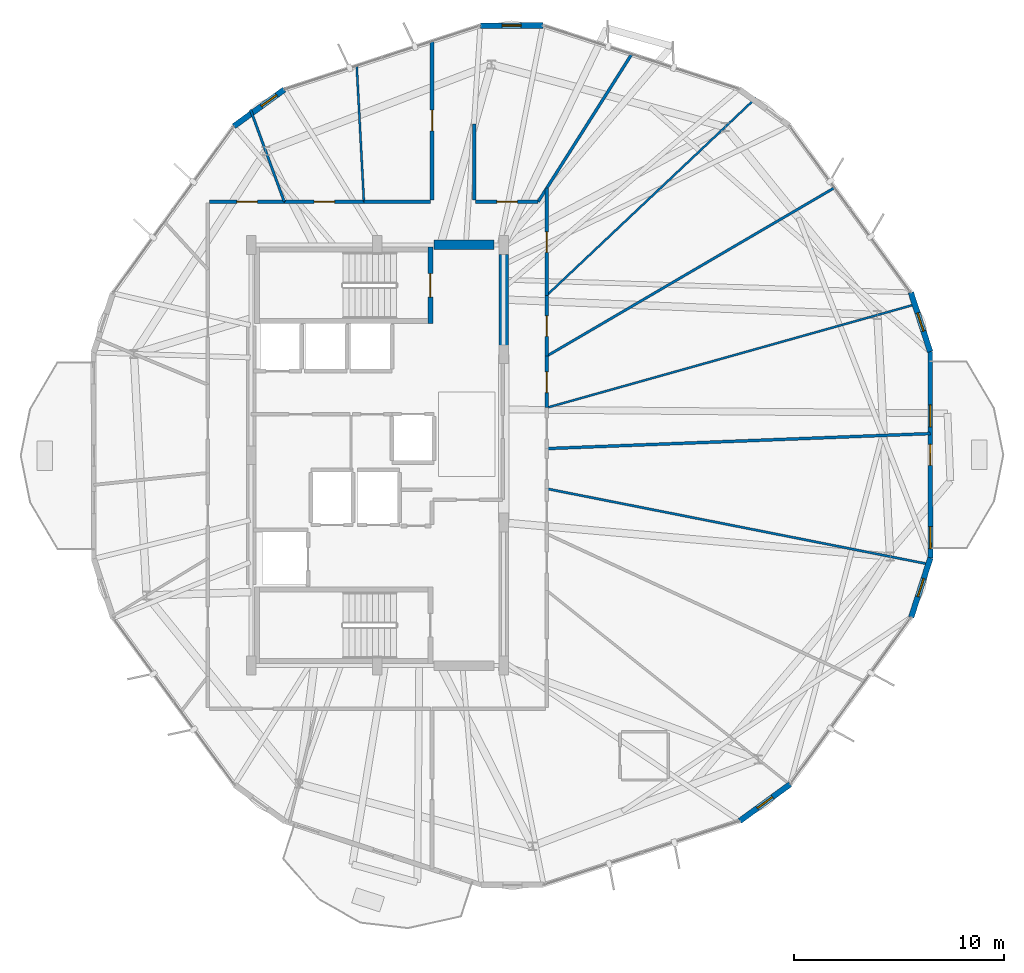
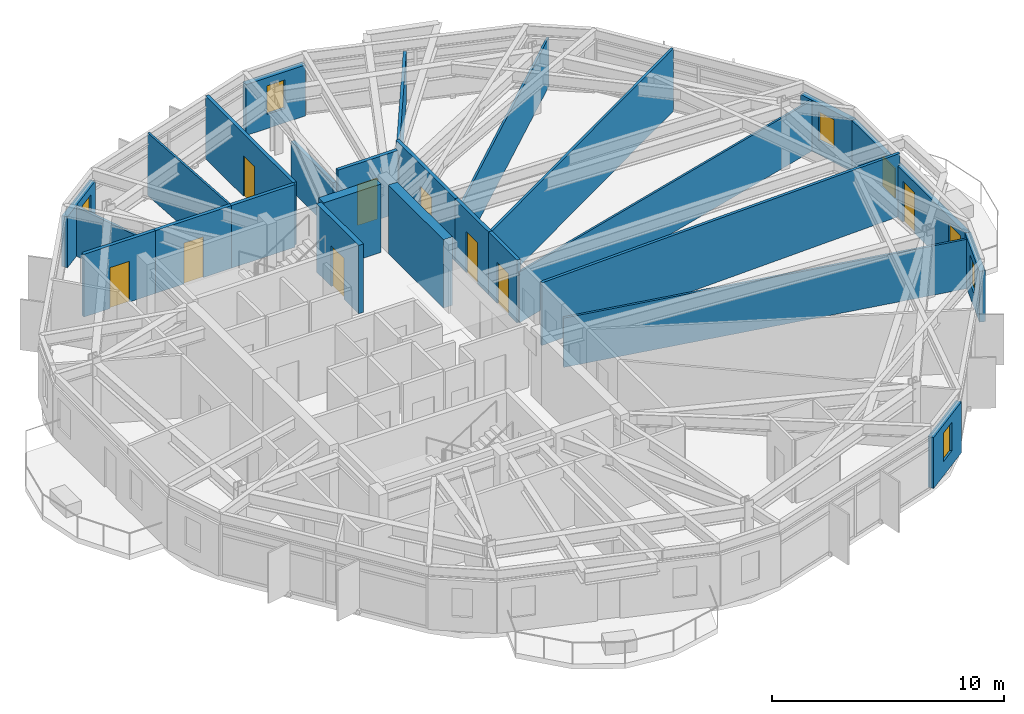
# One storey, part 27 of 31: 26 walls, 9 doors, 7 windows, 16 openings.
"""IFC4 building model written with IfcOpenShell, lengths in metres."""

from ifc_helpers import new_model, si_unit, direction, frame, frame_2d, origin, place, context, subcontext, project, spatial, rectangle, extrude, material, layer, layer_set, type_object, element, fill, save


model = new_model("IFC4")

# Units and contexts
model_context = context("Model", 3, precision=1e-05, world=origin(), true_north=direction((0.0, 1.0)))
body_context = subcontext(model_context, "Body", "Model", "MODEL_VIEW")
ifc_project = project(units=[si_unit("LENGTHUNIT", "METRE"), si_unit("AREAUNIT", "SQUARE_METRE"), si_unit("VOLUMEUNIT", "CUBIC_METRE"), si_unit("PLANEANGLEUNIT", "RADIAN"), si_unit("MASSUNIT", "GRAM", prefix="KILO")], contexts=[model_context])

# Site, building, storey
site_placement = place(None, origin())
site = spatial("IfcSite", under=ifc_project, at=site_placement, CompositionType="ELEMENT")
building_placement = place(site_placement, origin())
building = spatial("IfcBuilding", under=site, at=building_placement, Name="Soratama Intermodal Tower", CompositionType="ELEMENT")
storey_placement = place(building_placement, frame((0.0, 0.0, 230.199951171875)))
storey = spatial("IfcBuildingStorey", under=building, at=storey_placement, Name="L58", CompositionType="ELEMENT", Elevation=230.199951171875)

# Wall, openings, door, windows
ifc_material_1 = material(Name="Concrete f'c 42 MPa", Category="concrete")
ifc_layer_1 = layer(ifc_material_1, 0.22998046875)
ifc_layer_set_1 = layer_set([ifc_layer_1], Name="Concrete f'c 42 MPa")
wall_type_1 = type_object("IfcWallType", Name="EW-BAL-230", PredefinedType="SOLIDWALL", material=ifc_layer_set_1)
wall_1_placement = place(storey_placement, frame((64.882080078125, 20.1220703125, 0.0), z_axis=(0.0, 0.0, 1.0), x_axis=(-0.001046571902, 0.999999452343, 0.0)))
wall_1 = element("IfcWall", 1, at=wall_1_placement, inside=storey, type_object=wall_type_1, Name="L58 Terrace Wall F09", PredefinedType="SOLIDWALL", context=body_context, shape_type="SweptSolid", body=[
    extrude(rectangle(XDim=9.797607421875, YDim=0.22998046875, at=frame_2d((4.89892578125, 0.0))), origin(), (0.0, 0.0, 1.0), 2.678955078125),
])
opening_1_placement = place(wall_1_placement, frame((4.39892578125, 0.0, 0.0)))
opening_1 = element("IfcOpeningElement", 2, at=opening_1_placement, cuts=wall_1, Name="Opening ED-2", PredefinedType="OPENING", context=body_context, shape_type="SweptSolid", body=[
    extrude(rectangle(XDim=1.0, YDim=2.14990234375, at=frame_2d((0.5, 1.074951171875))), frame((0.0, 0.125, 0.0), z_axis=(0.0, -1.0, 0.0), x_axis=(1.0, 0.0, 0.0)), (0.0, 0.0, 1.0), 0.25),
])
opening_2_placement = place(wall_1_placement, frame((0.43994140625, 0.0, 0.719970703125)))
opening_2 = element("IfcOpeningElement", 3, at=opening_2_placement, cuts=wall_1, Name="Opening WN-5", PredefinedType="OPENING", context=body_context, shape_type="SweptSolid", body=[
    extrude(rectangle(XDim=1.050048828125, YDim=1.550048828125, at=frame_2d((0.52490234375, 0.77490234375))), frame((0.0, 0.125, 0.0), z_axis=(0.0, -1.0, 0.0), x_axis=(1.0, 0.0, 0.0)), (0.0, 0.0, 1.0), 0.25),
])
opening_3_placement = place(wall_1_placement, frame((6.22802734375, 0.0, 0.719970703125)))
opening_3 = element("IfcOpeningElement", 4, at=opening_3_placement, cuts=wall_1, Name="Opening WN-5", PredefinedType="OPENING", context=body_context, shape_type="SweptSolid", body=[
    extrude(rectangle(XDim=1.050048828125, YDim=1.550048828125, at=frame_2d((0.52490234375, 0.77490234375))), frame((0.0, 0.125, 0.0), z_axis=(0.0, -1.0, 0.0), x_axis=(1.0, 0.0, 0.0)), (0.0, 0.0, 1.0), 0.25),
])
ifc_material_2 = material(Name="Double-glazed aluminium door", Category="aluminium")
door_type_1 = type_object("IfcDoorType", Name="DR-BAL-1000", OperationType="NOTDEFINED", PredefinedType="DOOR", material=ifc_material_2)
door_1_placement = place(opening_1_placement, origin())
door_1 = element("IfcDoor", 5, at=door_1_placement, inside=storey, type_object=door_type_1, Name="L58 Balcony Door F09", OperationType="SINGLE_SWING_LEFT", OverallHeight=2.14990234375, OverallWidth=1.0, PredefinedType="DOOR", context=body_context, shape_type="SweptSolid", body=[
    extrude(rectangle(XDim=1.0, YDim=2.14990234375, at=frame_2d((0.5, 1.074951171875))), frame((0.0, 0.02490234375, 0.0), z_axis=(0.0, -1.0, 0.0), x_axis=(1.0, 0.0, 0.0)), (0.0, 0.0, 1.0), 0.050048828125),
])
fill(opening_1, door_1)
ifc_material_3 = material(Name="Double-glazed aluminium window", Category="aluminium")
window_type_1 = type_object("IfcWindowType", Name="WN-FAC-1050", PartitioningType="SINGLE_PANEL", PredefinedType="WINDOW", material=ifc_material_3)
window_1_placement = place(opening_2_placement, origin())
window_1 = element("IfcWindow", 6, at=window_1_placement, inside=storey, type_object=window_type_1, Name="L58 Window A F09", OverallHeight=1.550048828125, OverallWidth=1.050048828125, PartitioningType="SINGLE_PANEL", PredefinedType="WINDOW", context=body_context, shape_type="SweptSolid", body=[
    extrude(rectangle(XDim=1.050048828125, YDim=1.550048828125, at=frame_2d((0.52490234375, 0.77490234375))), frame((0.0, 0.030029296875, 0.0), z_axis=(0.0, -1.0, 0.0), x_axis=(1.0, 0.0, 0.0)), (0.0, 0.0, 1.0), 0.06005859375),
])
fill(opening_2, window_1)
window_2_placement = place(opening_3_placement, origin())
window_2 = element("IfcWindow", 7, at=window_2_placement, inside=storey, type_object=window_type_1, Name="L58 Window B F09", OverallHeight=1.550048828125, OverallWidth=1.050048828125, PartitioningType="SINGLE_PANEL", PredefinedType="WINDOW", context=body_context, shape_type="SweptSolid", body=[
    extrude(rectangle(XDim=1.050048828125, YDim=1.550048828125, at=frame_2d((0.52490234375, 0.77490234375))), frame((0.0, 0.030029296875, 0.0), z_axis=(0.0, -1.0, 0.0), x_axis=(1.0, 0.0, 0.0)), (0.0, 0.0, 1.0), 0.06005859375),
])
fill(opening_3, window_2)

# Wall, opening, window
ifc_material_4 = material(Name="Concrete f'c 42 MPa", Category="concrete")
ifc_layer_2 = layer(ifc_material_4, 0.27001953125)
ifc_layer_set_2 = layer_set([ifc_layer_2], Name="Concrete f'c 42 MPa")
wall_type_2 = type_object("IfcWallType", Name="EW-CRN-270", PredefinedType="SOLIDWALL", material=ifc_layer_set_2)
wall_2_placement = place(storey_placement, frame((46.4619140625, 45.419677734375, 0.0), z_axis=(0.0, 0.0, 1.0), x_axis=(-0.999999427689, -0.00106987018, 0.0)))
wall_2 = element("IfcWall", 8, at=wall_2_placement, inside=storey, type_object=wall_type_2, Name="L58 Corner Closure Wall 01", PredefinedType="SOLIDWALL", context=body_context, shape_type="SweptSolid", body=[
    extrude(rectangle(XDim=2.966552734375, YDim=0.27001953125, at=frame_2d((1.4833984375, 0.0))), origin(), (0.0, 0.0, 1.0), 2.678955078125),
])
opening_4_placement = place(wall_2_placement, frame((1.033203125, 0.0, 0.75)))
opening_4 = element("IfcOpeningElement", 9, at=opening_4_placement, cuts=wall_2, Name="Opening WN-6", PredefinedType="OPENING", context=body_context, shape_type="SweptSolid", body=[
    extrude(rectangle(XDim=0.89990234375, YDim=1.5, at=frame_2d((0.449951171875, 0.75))), frame((0.0, 0.14501953125, 0.0), z_axis=(0.0, -1.0, 0.0), x_axis=(1.0, 0.0, 0.0)), (0.0, 0.0, 1.0), 0.2900390625),
])
ifc_material_5 = material(Name="Double-glazed aluminium window", Category="aluminium")
window_type_2 = type_object("IfcWindowType", Name="WN-FAC-900", PartitioningType="SINGLE_PANEL", PredefinedType="WINDOW", material=ifc_material_5)
window_3_placement = place(opening_4_placement, origin())
window_3 = element("IfcWindow", 10, at=window_3_placement, inside=storey, type_object=window_type_2, Name="L58 Corner Window 01", OverallHeight=1.5, OverallWidth=0.89990234375, PartitioningType="SINGLE_PANEL", PredefinedType="WINDOW", context=body_context, shape_type="SweptSolid", body=[
    extrude(rectangle(XDim=0.89990234375, YDim=1.5, at=frame_2d((0.449951171875, 0.75))), frame((0.0, 0.030029296875, 0.0), z_axis=(0.0, -1.0, 0.0), x_axis=(1.0, 0.0, 0.0)), (0.0, 0.0, 1.0), 0.06005859375),
])
fill(opening_4, window_3)

wall_3_placement = place(storey_placement, frame((34.180419921875, 42.379150390625, 0.0), z_axis=(0.0, 0.0, 1.0), x_axis=(-0.808383627719, -0.58865602047, 0.0)))
wall_3 = element("IfcWall", 11, at=wall_3_placement, inside=storey, type_object=wall_type_2, Name="L58 Corner Closure Wall 02", PredefinedType="SOLIDWALL", context=body_context, shape_type="SweptSolid", body=[
    extrude(rectangle(XDim=2.966552734375, YDim=0.27001953125, at=frame_2d((1.4833984375, 0.0))), origin(), (0.0, 0.0, 1.0), 2.678955078125),
])
opening_5_placement = place(wall_3_placement, frame((0.449951171875, 0.0, 0.75)))
opening_5 = element("IfcOpeningElement", 12, at=opening_5_placement, cuts=wall_3, Name="Opening WN-6", PredefinedType="OPENING", context=body_context, shape_type="SweptSolid", body=[
    extrude(rectangle(XDim=0.89990234375, YDim=1.5, at=frame_2d((0.449951171875, 0.75))), frame((0.0, 0.14501953125, 0.0), z_axis=(0.0, -1.0, 0.0), x_axis=(1.0, 0.0, 0.0)), (0.0, 0.0, 1.0), 0.2900390625),
])
window_4_placement = place(opening_5_placement, origin())
window_4 = element("IfcWindow", 13, at=window_4_placement, inside=storey, type_object=window_type_2, Name="L58 Corner Window 02", OverallHeight=1.5, OverallWidth=0.89990234375, PartitioningType="SINGLE_PANEL", PredefinedType="WINDOW", context=body_context, shape_type="SweptSolid", body=[
    extrude(rectangle(XDim=0.89990234375, YDim=1.5, at=frame_2d((0.449951171875, 0.75))), frame((0.0, 0.030029296875, 0.0), z_axis=(0.0, -1.0, 0.0), x_axis=(1.0, 0.0, 0.0)), (0.0, 0.0, 1.0), 0.06005859375),
])
fill(opening_5, window_4)

wall_4_placement = place(storey_placement, frame((55.819580078125, 7.620849609375, 0.0), z_axis=(0.0, 0.0, 1.0), x_axis=(0.808383627719, 0.58865602047, 0.0)))
wall_4 = element("IfcWall", 14, at=wall_4_placement, inside=storey, type_object=wall_type_2, Name="L58 Corner Closure Wall 07", PredefinedType="SOLIDWALL", context=body_context, shape_type="SweptSolid", body=[
    extrude(rectangle(XDim=2.966552734375, YDim=0.27001953125, at=frame_2d((1.4833984375, 0.0))), origin(), (0.0, 0.0, 1.0), 2.678955078125),
])
opening_6_placement = place(wall_4_placement, frame((1.033203125, 0.0, 0.75)))
opening_6 = element("IfcOpeningElement", 15, at=opening_6_placement, cuts=wall_4, Name="Opening WN-6", PredefinedType="OPENING", context=body_context, shape_type="SweptSolid", body=[
    extrude(rectangle(XDim=0.89990234375, YDim=1.5, at=frame_2d((0.449951171875, 0.75))), frame((0.0, 0.14501953125, 0.0), z_axis=(0.0, -1.0, 0.0), x_axis=(1.0, 0.0, 0.0)), (0.0, 0.0, 1.0), 0.2900390625),
])
window_5_placement = place(opening_6_placement, origin())
window_5 = element("IfcWindow", 16, at=window_5_placement, inside=storey, type_object=window_type_2, Name="L58 Corner Window 07", OverallHeight=1.5, OverallWidth=0.89990234375, PartitioningType="SINGLE_PANEL", PredefinedType="WINDOW", context=body_context, shape_type="SweptSolid", body=[
    extrude(rectangle(XDim=0.89990234375, YDim=1.5, at=frame_2d((0.449951171875, 0.75))), frame((0.0, 0.030029296875, 0.0), z_axis=(0.0, -1.0, 0.0), x_axis=(1.0, 0.0, 0.0)), (0.0, 0.0, 1.0), 0.06005859375),
])
fill(opening_6, window_5)

wall_5_placement = place(storey_placement, frame((63.968505859375, 17.299560546875, 0.0), z_axis=(0.0, 0.0, 1.0), x_axis=(0.307945174151, 0.95140410432, 0.0)))
wall_5 = element("IfcWall", 17, at=wall_5_placement, inside=storey, type_object=wall_type_2, Name="L58 Corner Closure Wall 08", PredefinedType="SOLIDWALL", context=body_context, shape_type="SweptSolid", body=[
    extrude(rectangle(XDim=2.966796875, YDim=0.27001953125, at=frame_2d((1.4833984375, 0.0))), origin(), (0.0, 0.0, 1.0), 2.678955078125),
])
opening_7_placement = place(wall_5_placement, frame((1.033203125, 0.0, 0.75)))
opening_7 = element("IfcOpeningElement", 18, at=opening_7_placement, cuts=wall_5, Name="Opening WN-6", PredefinedType="OPENING", context=body_context, shape_type="SweptSolid", body=[
    extrude(rectangle(XDim=0.89990234375, YDim=1.5, at=frame_2d((0.449951171875, 0.75))), frame((0.0, 0.14501953125, 0.0), z_axis=(0.0, -1.0, 0.0), x_axis=(1.0, 0.0, 0.0)), (0.0, 0.0, 1.0), 0.2900390625),
])
window_6_placement = place(opening_7_placement, origin())
window_6 = element("IfcWindow", 19, at=window_6_placement, inside=storey, type_object=window_type_2, Name="L58 Corner Window 08", OverallHeight=1.5, OverallWidth=0.89990234375, PartitioningType="SINGLE_PANEL", PredefinedType="WINDOW", context=body_context, shape_type="SweptSolid", body=[
    extrude(rectangle(XDim=0.89990234375, YDim=1.5, at=frame_2d((0.449951171875, 0.75))), frame((0.0, 0.030029296875, 0.0), z_axis=(0.0, -1.0, 0.0), x_axis=(1.0, 0.0, 0.0)), (0.0, 0.0, 1.0), 0.06005859375),
])
fill(opening_7, window_6)

wall_6_placement = place(storey_placement, frame((64.871826171875, 29.919677734375, 0.0), z_axis=(0.0, 0.0, 1.0), x_axis=(-0.309949441634, 0.950753040295, 0.0)))
wall_6 = element("IfcWall", 20, at=wall_6_placement, inside=storey, type_object=wall_type_2, Name="L58 Corner Closure Wall 09", PredefinedType="SOLIDWALL", context=body_context, shape_type="SweptSolid", body=[
    extrude(rectangle(XDim=2.96630859375, YDim=0.27001953125, at=frame_2d((1.483154296875, 0.0))), origin(), (0.0, 0.0, 1.0), 2.678955078125),
])
opening_8_placement = place(wall_6_placement, frame((1.033203125, 0.0, 0.75)))
opening_8 = element("IfcOpeningElement", 21, at=opening_8_placement, cuts=wall_6, Name="Opening WN-6", PredefinedType="OPENING", context=body_context, shape_type="SweptSolid", body=[
    extrude(rectangle(XDim=0.89990234375, YDim=1.5, at=frame_2d((0.449951171875, 0.75))), frame((0.0, 0.14501953125, 0.0), z_axis=(0.0, -1.0, 0.0), x_axis=(1.0, 0.0, 0.0)), (0.0, 0.0, 1.0), 0.2900390625),
])
window_7_placement = place(opening_8_placement, origin())
window_7 = element("IfcWindow", 22, at=window_7_placement, inside=storey, type_object=window_type_2, Name="L58 Corner Window 09", OverallHeight=1.5, OverallWidth=0.89990234375, PartitioningType="SINGLE_PANEL", PredefinedType="WINDOW", context=body_context, shape_type="SweptSolid", body=[
    extrude(rectangle(XDim=0.89990234375, YDim=1.5, at=frame_2d((0.449951171875, 0.75))), frame((0.0, 0.030029296875, 0.0), z_axis=(0.0, -1.0, 0.0), x_axis=(1.0, 0.0, 0.0)), (0.0, 0.0, 1.0), 0.06005859375),
])
fill(opening_8, window_7)

# Wall, opening, door
ifc_material_6 = material(Name="Fire-rated gypsum stud partition", Category="concrete")
ifc_layer_3 = layer(ifc_material_6, 0.169921875)
ifc_layer_set_3 = layer_set([ifc_layer_3], Name="Fire-rated gypsum stud partition")
wall_type_3 = type_object("IfcWallType", Name="IW-PART-R170", PredefinedType="PARTITIONING", material=ifc_layer_set_3)
wall_7_placement = place(storey_placement, frame((41.199951171875, 37.1201171875, 0.0), z_axis=(0.0, 0.0, 1.0), x_axis=(0.0, 1.0, 0.0)))
wall_7 = element("IfcWall", 23, at=wall_7_placement, inside=storey, type_object=wall_type_3, Name="L58 Partition W-L58-TP009", PredefinedType="PARTITIONING", context=body_context, shape_type="SweptSolid", body=[
    extrude(rectangle(XDim=7.5478515625, YDim=0.169921875, at=frame_2d((3.77392578125, 0.0))), origin(), (0.0, 0.0, 1.0), 3.300048828125),
])
opening_9_placement = place(wall_7_placement, frame((3.299072265625, 0.0, 0.0)))
opening_9 = element("IfcOpeningElement", 24, at=opening_9_placement, cuts=wall_7, Name="Opening ID-5", PredefinedType="OPENING", context=body_context, shape_type="SweptSolid", body=[
    extrude(rectangle(XDim=0.97998046875, YDim=2.14990234375, at=frame_2d((0.489990234375, 1.074951171875))), frame((0.0, 0.094970703125, 0.0), z_axis=(0.0, -1.0, 0.0), x_axis=(1.0, 0.0, 0.0)), (0.0, 0.0, 1.0), 0.18994140625),
])
ifc_material_7 = material(Name="Solid hardwood acoustic door", Category="wood")
door_type_2 = type_object("IfcDoorType", Name="DR-OFF-980", OperationType="NOTDEFINED", PredefinedType="DOOR", material=ifc_material_7)
door_2_placement = place(opening_9_placement, origin())
door_2 = element("IfcDoor", 25, at=door_2_placement, inside=storey, type_object=door_type_2, Name="L58 Door D-L58-TP001", OperationType="SINGLE_SWING_RIGHT", OverallHeight=2.14990234375, OverallWidth=0.97998046875, PredefinedType="DOOR", context=body_context, shape_type="SweptSolid", body=[
    extrude(rectangle(XDim=0.97998046875, YDim=2.14990234375, at=frame_2d((0.489990234375, 1.074951171875))), frame((0.0, 0.02490234375, 0.0), z_axis=(0.0, -1.0, 0.0), x_axis=(1.0, 0.0, 0.0)), (0.0, 0.0, 1.0), 0.050048828125),
])
fill(opening_9, door_2)

wall_8_placement = place(storey_placement, frame((46.64990234375, 37.69189453125, 0.0), z_axis=(0.0, 0.0, 1.0), x_axis=(0.0, -1.0, 0.0)))
wall_8 = element("IfcWall", 26, at=wall_8_placement, inside=storey, type_object=wall_type_3, Name="L58 Partition W-L58-TP023", PredefinedType="PARTITIONING", context=body_context, shape_type="SweptSolid", body=[
    extrude(rectangle(XDim=5.094970703125, YDim=0.169921875, at=frame_2d((2.54736328125, 0.0))), origin(), (0.0, 0.0, 1.0), 3.300048828125),
])
opening_10_placement = place(wall_8_placement, frame((2.072021484375, 0.0, 0.0)))
opening_10 = element("IfcOpeningElement", 27, at=opening_10_placement, cuts=wall_8, Name="Opening ID-5", PredefinedType="OPENING", context=body_context, shape_type="SweptSolid", body=[
    extrude(rectangle(XDim=0.97998046875, YDim=2.14990234375, at=frame_2d((0.489990234375, 1.074951171875))), frame((0.0, 0.094970703125, 0.0), z_axis=(0.0, -1.0, 0.0), x_axis=(1.0, 0.0, 0.0)), (0.0, 0.0, 1.0), 0.18994140625),
])
door_3_placement = place(opening_10_placement, origin())
door_3 = element("IfcDoor", 28, at=door_3_placement, inside=storey, type_object=door_type_2, Name="L58 Door D-L58-TP008", OperationType="SINGLE_SWING_LEFT", OverallHeight=2.14990234375, OverallWidth=0.97998046875, PredefinedType="DOOR", context=body_context, shape_type="SweptSolid", body=[
    extrude(rectangle(XDim=0.97998046875, YDim=2.14990234375, at=frame_2d((0.489990234375, 1.074951171875))), frame((0.0, 0.02490234375, 0.0), z_axis=(0.0, -1.0, 0.0), x_axis=(1.0, 0.0, 0.0)), (0.0, 0.0, 1.0), 0.050048828125),
])
fill(opening_10, door_3)

wall_9_placement = place(storey_placement, frame((34.177978515625, 37.050048828125, 0.0), z_axis=(0.0, 0.0, 1.0), x_axis=(1.0, 0.0, 0.0)))
wall_9 = element("IfcWall", 29, at=wall_9_placement, inside=storey, type_object=wall_type_3, Name="L58 Partition W-L58-TP028", PredefinedType="PARTITIONING", context=body_context, shape_type="SweptSolid", body=[
    extrude(rectangle(XDim=3.784912109375, YDim=0.169921875, at=frame_2d((1.892578125, 0.0))), origin(), (0.0, 0.0, 1.0), 3.300048828125),
])
opening_11_placement = place(wall_9_placement, frame((1.41796875, 0.0, 0.0)))
opening_11 = element("IfcOpeningElement", 30, at=opening_11_placement, cuts=wall_9, Name="Opening ID-5", PredefinedType="OPENING", context=body_context, shape_type="SweptSolid", body=[
    extrude(rectangle(XDim=0.97998046875, YDim=2.14990234375, at=frame_2d((0.489990234375, 1.074951171875))), frame((0.0, 0.094970703125, 0.0), z_axis=(0.0, -1.0, 0.0), x_axis=(1.0, 0.0, 0.0)), (0.0, 0.0, 1.0), 0.18994140625),
])
door_4_placement = place(opening_11_placement, origin())
door_4 = element("IfcDoor", 31, at=door_4_placement, inside=storey, type_object=door_type_2, Name="L58 Door D-L58-TP012", OperationType="SINGLE_SWING_LEFT", OverallHeight=2.14990234375, OverallWidth=0.97998046875, PredefinedType="DOOR", context=body_context, shape_type="SweptSolid", body=[
    extrude(rectangle(XDim=0.97998046875, YDim=2.14990234375, at=frame_2d((0.489990234375, 1.074951171875))), frame((0.0, 0.02490234375, 0.0), z_axis=(0.0, -1.0, 0.0), x_axis=(1.0, 0.0, 0.0)), (0.0, 0.0, 1.0), 0.050048828125),
])
fill(opening_11, door_4)

wall_10_placement = place(storey_placement, frame((30.6201171875, 37.050048828125, 0.0), z_axis=(0.0, 0.0, 1.0), x_axis=(1.0, 0.0, 0.0)))
wall_10 = element("IfcWall", 32, at=wall_10_placement, inside=storey, type_object=wall_type_3, Name="L58 Partition W-L58-TP029", PredefinedType="PARTITIONING", context=body_context, shape_type="SweptSolid", body=[
    extrude(rectangle(XDim=3.557861328125, YDim=0.169921875, at=frame_2d((1.77880859375, 0.0))), origin(), (0.0, 0.0, 1.0), 3.300048828125),
])
opening_12_placement = place(wall_10_placement, frame((1.303955078125, 0.0, 0.0)))
opening_12 = element("IfcOpeningElement", 33, at=opening_12_placement, cuts=wall_10, Name="Opening ID-5", PredefinedType="OPENING", context=body_context, shape_type="SweptSolid", body=[
    extrude(rectangle(XDim=0.97998046875, YDim=2.14990234375, at=frame_2d((0.489990234375, 1.074951171875))), frame((0.0, 0.094970703125, 0.0), z_axis=(0.0, -1.0, 0.0), x_axis=(1.0, 0.0, 0.0)), (0.0, 0.0, 1.0), 0.18994140625),
])
door_5_placement = place(opening_12_placement, origin())
door_5 = element("IfcDoor", 34, at=door_5_placement, inside=storey, type_object=door_type_2, Name="L58 Door D-L58-TP013", OperationType="SINGLE_SWING_RIGHT", OverallHeight=2.14990234375, OverallWidth=0.97998046875, PredefinedType="DOOR", context=body_context, shape_type="SweptSolid", body=[
    extrude(rectangle(XDim=0.97998046875, YDim=2.14990234375, at=frame_2d((0.489990234375, 1.074951171875))), frame((0.0, 0.02490234375, 0.0), z_axis=(0.0, -1.0, 0.0), x_axis=(1.0, 0.0, 0.0)), (0.0, 0.0, 1.0), 0.050048828125),
])
fill(opening_12, door_5)

# Wall
wall_11_placement = place(storey_placement, frame((37.962890625, 37.050048828125, 0.0), z_axis=(0.0, 0.0, 1.0), x_axis=(1.0, 0.0, 0.0)))
element("IfcWall", 35, at=wall_11_placement, inside=storey, type_object=wall_type_3, Name="L58 Partition W-L58-TP031", PredefinedType="PARTITIONING", context=body_context, shape_type="SweptSolid", body=[
    extrude(rectangle(XDim=3.1669921875, YDim=0.169921875, at=frame_2d((1.58349609375, 0.0))), origin(), (0.0, 0.0, 1.0), 3.300048828125),
])

# Wall, opening, door
wall_12_placement = place(storey_placement, frame((43.27001953125, 37.050048828125, 0.0), z_axis=(0.0, 0.0, 1.0), x_axis=(1.0, 0.0, 0.0)))
wall_12 = element("IfcWall", 36, at=wall_12_placement, inside=storey, type_object=wall_type_3, Name="L58 Partition W-L58-TP034", PredefinedType="PARTITIONING", context=body_context, shape_type="SweptSolid", body=[
    extrude(rectangle(XDim=2.972900390625, YDim=0.169921875, at=frame_2d((1.486328125, 0.0))), origin(), (0.0, 0.0, 1.0), 3.300048828125),
])
opening_13_placement = place(wall_12_placement, frame((1.010986328125, 0.0, 0.0)))
opening_13 = element("IfcOpeningElement", 37, at=opening_13_placement, cuts=wall_12, Name="Opening ID-5", PredefinedType="OPENING", context=body_context, shape_type="SweptSolid", body=[
    extrude(rectangle(XDim=0.97998046875, YDim=2.14990234375, at=frame_2d((0.489990234375, 1.074951171875))), frame((0.0, 0.094970703125, 0.0), z_axis=(0.0, -1.0, 0.0), x_axis=(1.0, 0.0, 0.0)), (0.0, 0.0, 1.0), 0.18994140625),
])
door_6_placement = place(opening_13_placement, origin())
door_6 = element("IfcDoor", 38, at=door_6_placement, inside=storey, type_object=door_type_2, Name="L58 Door D-L58-TP015", OperationType="SINGLE_SWING_RIGHT", OverallHeight=2.14990234375, OverallWidth=0.97998046875, PredefinedType="DOOR", context=body_context, shape_type="SweptSolid", body=[
    extrude(rectangle(XDim=0.97998046875, YDim=2.14990234375, at=frame_2d((0.489990234375, 1.074951171875))), frame((0.0, 0.02490234375, 0.0), z_axis=(0.0, -1.0, 0.0), x_axis=(1.0, 0.0, 0.0)), (0.0, 0.0, 1.0), 0.050048828125),
])
fill(opening_13, door_6)

wall_13_placement = place(storey_placement, frame((46.64990234375, 32.596923828125, 0.0), z_axis=(0.0, 0.0, 1.0), x_axis=(0.0, -1.0, 0.0)))
wall_13 = element("IfcWall", 39, at=wall_13_placement, inside=storey, type_object=wall_type_3, Name="L58 Partition W-L58-TP035", PredefinedType="PARTITIONING", context=body_context, shape_type="SweptSolid", body=[
    extrude(rectangle(XDim=2.885986328125, YDim=0.169921875, at=frame_2d((1.44287109375, 0.0))), origin(), (0.0, 0.0, 1.0), 3.300048828125),
])
opening_14_placement = place(wall_13_placement, frame((0.968017578125, 0.0, 0.0)))
opening_14 = element("IfcOpeningElement", 40, at=opening_14_placement, cuts=wall_13, Name="Opening ID-5", PredefinedType="OPENING", context=body_context, shape_type="SweptSolid", body=[
    extrude(rectangle(XDim=0.97998046875, YDim=2.14990234375, at=frame_2d((0.489990234375, 1.074951171875))), frame((0.0, 0.094970703125, 0.0), z_axis=(0.0, -1.0, 0.0), x_axis=(1.0, 0.0, 0.0)), (0.0, 0.0, 1.0), 0.18994140625),
])
door_7_placement = place(opening_14_placement, origin())
door_7 = element("IfcDoor", 41, at=door_7_placement, inside=storey, type_object=door_type_2, Name="L58 Door D-L58-TP016", OperationType="SINGLE_SWING_LEFT", OverallHeight=2.14990234375, OverallWidth=0.97998046875, PredefinedType="DOOR", context=body_context, shape_type="SweptSolid", body=[
    extrude(rectangle(XDim=0.97998046875, YDim=2.14990234375, at=frame_2d((0.489990234375, 1.074951171875))), frame((0.0, 0.02490234375, 0.0), z_axis=(0.0, -1.0, 0.0), x_axis=(1.0, 0.0, 0.0)), (0.0, 0.0, 1.0), 0.050048828125),
])
fill(opening_14, door_7)

wall_14_placement = place(storey_placement, frame((46.64990234375, 29.7109375, 0.0), z_axis=(0.0, 0.0, 1.0), x_axis=(0.0, -1.0, 0.0)))
wall_14 = element("IfcWall", 42, at=wall_14_placement, inside=storey, type_object=wall_type_3, Name="L58 Partition W-L58-TP038", PredefinedType="PARTITIONING", context=body_context, shape_type="SweptSolid", body=[
    extrude(rectangle(XDim=2.452880859375, YDim=0.169921875, at=frame_2d((1.2265625, 0.0))), origin(), (0.0, 0.0, 1.0), 3.300048828125),
])
opening_15_placement = place(wall_14_placement, frame((0.7509765625, 0.0, 0.0)))
opening_15 = element("IfcOpeningElement", 43, at=opening_15_placement, cuts=wall_14, Name="Opening ID-5", PredefinedType="OPENING", context=body_context, shape_type="SweptSolid", body=[
    extrude(rectangle(XDim=0.97998046875, YDim=2.14990234375, at=frame_2d((0.489990234375, 1.074951171875))), frame((0.0, 0.094970703125, 0.0), z_axis=(0.0, -1.0, 0.0), x_axis=(1.0, 0.0, 0.0)), (0.0, 0.0, 1.0), 0.18994140625),
])
door_8_placement = place(opening_15_placement, origin())
door_8 = element("IfcDoor", 44, at=door_8_placement, inside=storey, type_object=door_type_2, Name="L58 Door D-L58-TP018", OperationType="SINGLE_SWING_LEFT", OverallHeight=2.14990234375, OverallWidth=0.97998046875, PredefinedType="DOOR", context=body_context, shape_type="SweptSolid", body=[
    extrude(rectangle(XDim=0.97998046875, YDim=2.14990234375, at=frame_2d((0.489990234375, 1.074951171875))), frame((0.0, 0.02490234375, 0.0), z_axis=(0.0, -1.0, 0.0), x_axis=(1.0, 0.0, 0.0)), (0.0, 0.0, 1.0), 0.050048828125),
])
fill(opening_15, door_8)

# Walls
wall_15_placement = place(storey_placement, frame((43.199951171875, 40.735107421875, 0.0), z_axis=(0.0, 0.0, 1.0), x_axis=(0.0, -1.0, 0.0)))
element("IfcWall", 45, at=wall_15_placement, inside=storey, type_object=wall_type_3, Name="L58 Partition W-L58-TP051", PredefinedType="PARTITIONING", context=body_context, shape_type="SweptSolid", body=[
    extrude(rectangle(XDim=3.614990234375, YDim=0.169921875, at=frame_2d((1.8076171875, 0.0))), origin(), (0.0, 0.0, 1.0), 2.594970703125),
])
ifc_material_8 = material(Name="Fire-rated gypsum stud partition", Category="concrete")
ifc_layer_4 = layer(ifc_material_8, 0.10009765625)
ifc_layer_set_4 = layer_set([ifc_layer_4], Name="Fire-rated gypsum stud partition")
wall_type_4 = type_object("IfcWallType", Name="IW-PART-S100", PredefinedType="PARTITIONING", material=ifc_layer_set_4)
wall_16_placement = place(storey_placement, frame((46.64990234375, 27.258056640625, 0.0), z_axis=(0.0, 0.0, 1.0), x_axis=(0.962841039235, 0.270068756367, 0.0)))
element("IfcWall", 46, at=wall_16_placement, inside=storey, type_object=wall_type_4, Name="L58 Partition W-L58-TP002", PredefinedType="PARTITIONING", context=body_context, shape_type="SweptSolid", body=[
    extrude(rectangle(XDim=18.261474609375, YDim=0.10009765625, at=frame_2d((9.130859375, 0.0))), origin(), (0.0, 0.0, 1.0), 2.674072265625),
])
wall_17_placement = place(storey_placement, frame((46.64990234375, 32.596923828125, 0.0), z_axis=(0.0, 0.0, 1.0), x_axis=(0.727278352546, 0.686342624291, 0.0)))
element("IfcWall", 47, at=wall_17_placement, inside=storey, type_object=wall_type_4, Name="L58 Partition W-L58-TP007", PredefinedType="PARTITIONING", context=body_context, shape_type="SweptSolid", body=[
    extrude(rectangle(XDim=13.681396484375, YDim=0.10009765625, at=frame_2d((6.8408203125, 0.0))), origin(), (0.0, 0.0, 1.0), 2.594970703125),
])
wall_18_placement = place(storey_placement, frame((37.962890625, 37.050048828125, 0.0), z_axis=(0.0, 0.0, 1.0), x_axis=(-0.052909927122, 0.99859928881, 0.0)))
element("IfcWall", 48, at=wall_18_placement, inside=storey, type_object=wall_type_4, Name="L58 Partition W-L58-TP012", PredefinedType="PARTITIONING", context=body_context, shape_type="SweptSolid", body=[
    extrude(rectangle(XDim=6.4599609375, YDim=0.10009765625, at=frame_2d((3.22998046875, 0.0))), origin(), (0.0, 0.0, 1.0), 3.300048828125),
])
ifc_material_9 = material(Name="Fire-rated gypsum stud partition", Category="concrete")
ifc_layer_5 = layer(ifc_material_9, 0.110107421875)
ifc_layer_set_5 = layer_set([ifc_layer_5], Name="Fire-rated gypsum stud partition")
wall_type_5 = type_object("IfcWallType", Name="IW-PART-S110", PredefinedType="PARTITIONING", material=ifc_layer_set_5)
wall_19_placement = place(storey_placement, frame((46.64990234375, 23.409912109375, 0.0), z_axis=(0.0, 0.0, 1.0), x_axis=(0.981032456838, -0.193843541625, 0.0)))
element("IfcWall", 49, at=wall_19_placement, inside=storey, type_object=wall_type_5, Name="L58 Partition W-L58-TP001", PredefinedType="PARTITIONING", context=body_context, shape_type="SweptSolid", body=[
    extrude(rectangle(XDim=18.53564453125, YDim=0.110107421875, at=frame_2d((9.267822265625, 0.0))), origin(), (0.0, 0.0, 1.0), 2.594970703125),
])
ifc_material_10 = material(Name="Fire-rated gypsum stud partition", Category="concrete")
ifc_layer_6 = layer(ifc_material_10, 0.1201171875)
ifc_layer_set_6 = layer_set([ifc_layer_6], Name="Fire-rated gypsum stud partition")
wall_type_6 = type_object("IfcWallType", Name="IW-PART-S120", PredefinedType="PARTITIONING", material=ifc_layer_set_6)
wall_20_placement = place(storey_placement, frame((46.64990234375, 29.7109375, 0.0), z_axis=(0.0, 0.0, 1.0), x_axis=(0.863117805334, 0.505002627831, 0.0)))
element("IfcWall", 50, at=wall_20_placement, inside=storey, type_object=wall_type_6, Name="L58 Partition W-L58-TP005", PredefinedType="PARTITIONING", context=body_context, shape_type="SweptSolid", body=[
    extrude(rectangle(XDim=15.849609375, YDim=0.1201171875, at=frame_2d((7.9248046875, 0.0))), origin(), (0.0, 0.0, 1.0), 3.300048828125),
])
wall_21_placement = place(storey_placement, frame((34.177978515625, 37.050048828125, 0.0), z_axis=(0.0, 0.0, 1.0), x_axis=(-0.34466105816, 0.938727199451, 0.0)))
element("IfcWall", 51, at=wall_21_placement, inside=storey, type_object=wall_type_6, Name="L58 Partition W-L58-TP025", PredefinedType="PARTITIONING", context=body_context, shape_type="SweptSolid", body=[
    extrude(rectangle(XDim=4.659423828125, YDim=0.1201171875, at=frame_2d((2.32958984375, 0.0))), origin(), (0.0, 0.0, 1.0), 2.594970703125),
])
ifc_material_11 = material(Name="Fire-rated gypsum stud partition", Category="concrete")
ifc_layer_7 = layer(ifc_material_11, 0.139892578125)
ifc_layer_set_7 = layer_set([ifc_layer_7], Name="Fire-rated gypsum stud partition")
wall_type_7 = type_object("IfcWallType", Name="IW-PART-S140", PredefinedType="PARTITIONING", material=ifc_layer_set_7)
wall_22_placement = place(storey_placement, frame((64.8759765625, 26.030029296875, 0.0), z_axis=(0.0, 0.0, 1.0), x_axis=(-0.999233316869, -0.039150714655, 0.0)))
element("IfcWall", 52, at=wall_22_placement, inside=storey, type_object=wall_type_7, Name="L58 Partition W-L58-TP003", PredefinedType="PARTITIONING", context=body_context, shape_type="SweptSolid", body=[
    extrude(rectangle(XDim=18.239990234375, YDim=0.139892578125, at=frame_2d((9.1201171875, 0.0))), origin(), (0.0, 0.0, 1.0), 3.300048828125),
])
wall_23_placement = place(storey_placement, frame((46.242919921875, 37.050048828125, 0.0), z_axis=(0.0, 0.0, 1.0), x_axis=(0.535566095282, 0.844493314115, 0.0)))
element("IfcWall", 53, at=wall_23_placement, inside=storey, type_object=wall_type_7, Name="L58 Partition W-L58-TP008", PredefinedType="PARTITIONING", context=body_context, shape_type="SweptSolid", body=[
    extrude(rectangle(XDim=8.29248046875, YDim=0.139892578125, at=frame_2d((4.146240234375, 0.0))), origin(), (0.0, 0.0, 1.0), 2.674072265625),
])
ifc_material_12 = material(Name="Concrete f'c 56 MPa", Category="concrete")
ifc_layer_8 = layer(ifc_material_12, 0.449951171875)
ifc_layer_set_8 = layer_set([ifc_layer_8], Name="Concrete f'c 56 MPa")
wall_type_8 = type_object("IfcWallType", Name="SW-CORE-450", PredefinedType="SHEAR", material=ifc_layer_set_8)
wall_24_placement = place(storey_placement, frame((41.300048828125, 35.0, 0.0), z_axis=(0.0, 0.0, 1.0), x_axis=(1.0, 0.0, 0.0)))
element("IfcWall", 54, at=wall_24_placement, inside=storey, type_object=wall_type_8, Name="L58 Core Shear Wall CW-NE", PredefinedType="SHEAR", context=body_context, shape_type="SweptSolid", body=[
    extrude(rectangle(XDim=2.849853515625, YDim=0.449951171875, at=frame_2d((1.4248046875, 0.0))), origin(), (0.0, 0.0, 1.0), 3.60009765625),
])
wall_25_placement = place(storey_placement, frame((44.60009765625, 29.800048828125, 0.0), z_axis=(0.0, 0.0, 1.0), x_axis=(0.0, 1.0, 0.0)))
element("IfcWall", 55, at=wall_25_placement, inside=storey, type_object=wall_type_8, Name="L58 Core Shear Wall CW-EN", PredefinedType="SHEAR", context=body_context, shape_type="SweptSolid", body=[
    extrude(rectangle(XDim=4.75, YDim=0.449951171875, at=frame_2d((2.375, 0.0))), origin(), (0.0, 0.0, 1.0), 3.60009765625),
])

# Wall, opening, door
ifc_material_13 = material(Name="Concrete f'c 56 MPa", Category="concrete")
ifc_layer_9 = layer(ifc_material_13, 0.239990234375)
ifc_layer_set_9 = layer_set([ifc_layer_9], Name="Concrete f'c 56 MPa")
wall_type_9 = type_object("IfcWallType", Name="SW-STAIR-240", PredefinedType="SHEAR", material=ifc_layer_set_9)
wall_26_placement = place(storey_placement, frame((41.1201171875, 31.260009765625, 0.0), z_axis=(0.0, 0.0, 1.0), x_axis=(0.0, 1.0, 0.0)))
wall_26 = element("IfcWall", 56, at=wall_26_placement, inside=storey, type_object=wall_type_9, Name="L58 ST-2 Shaft Shear Wall E", PredefinedType="SHEAR", context=body_context, shape_type="SweptSolid", body=[
    extrude(rectangle(XDim=3.6298828125, YDim=0.239990234375, at=frame_2d((1.81494140625, 0.0))), origin(), (0.0, 0.0, 1.0), 3.60009765625),
])
opening_16_placement = place(wall_26_placement, frame((1.2548828125, 0.0, 0.0)))
opening_16 = element("IfcOpeningElement", 57, at=opening_16_placement, cuts=wall_26, Name="Opening SD-1", PredefinedType="OPENING", context=body_context, shape_type="SweptSolid", body=[
    extrude(rectangle(XDim=1.1201171875, YDim=2.14990234375, at=frame_2d((0.56005859375, 1.074951171875))), frame((0.0, 0.1298828125, 0.0), z_axis=(0.0, -1.0, 0.0), x_axis=(1.0, 0.0, 0.0)), (0.0, 0.0, 1.0), 0.260009765625),
])
ifc_material_14 = material(Name="Steel fire door", Category="steel")
door_type_3 = type_object("IfcDoorType", Name="DR-STAIR-FD90", OperationType="NOTDEFINED", PredefinedType="DOOR", material=ifc_material_14)
door_9_placement = place(opening_16_placement, origin())
door_9 = element("IfcDoor", 58, at=door_9_placement, inside=storey, type_object=door_type_3, Name="L58 ST-2 Exit Stair Door", OperationType="SINGLE_SWING_RIGHT", OverallHeight=2.14990234375, OverallWidth=1.1201171875, PredefinedType="DOOR", context=body_context, shape_type="SweptSolid", body=[
    extrude(rectangle(XDim=1.1201171875, YDim=2.14990234375, at=frame_2d((0.56005859375, 1.074951171875))), frame((0.0, 0.02490234375, 0.0), z_axis=(0.0, -1.0, 0.0), x_axis=(1.0, 0.0, 0.0)), (0.0, 0.0, 1.0), 0.050048828125),
])
fill(opening_16, door_9)

save(model, "model.ifc")
